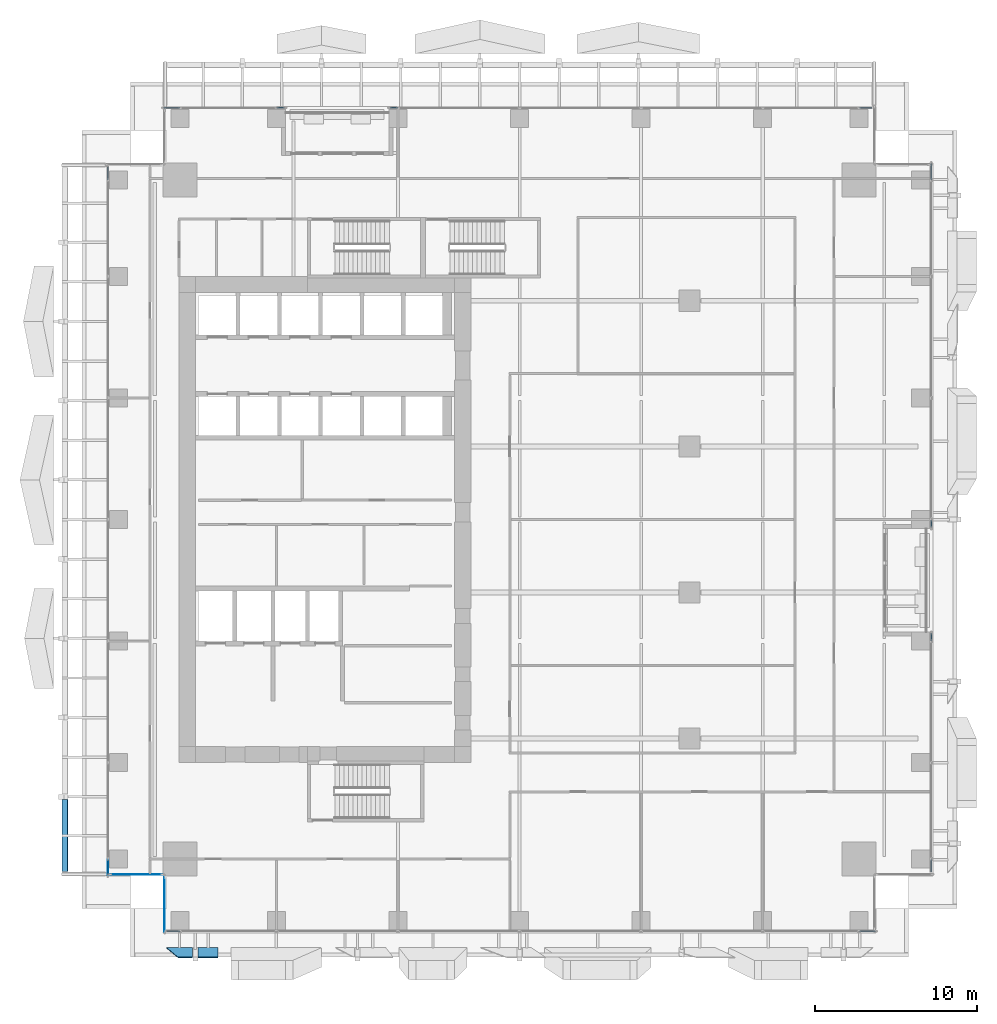
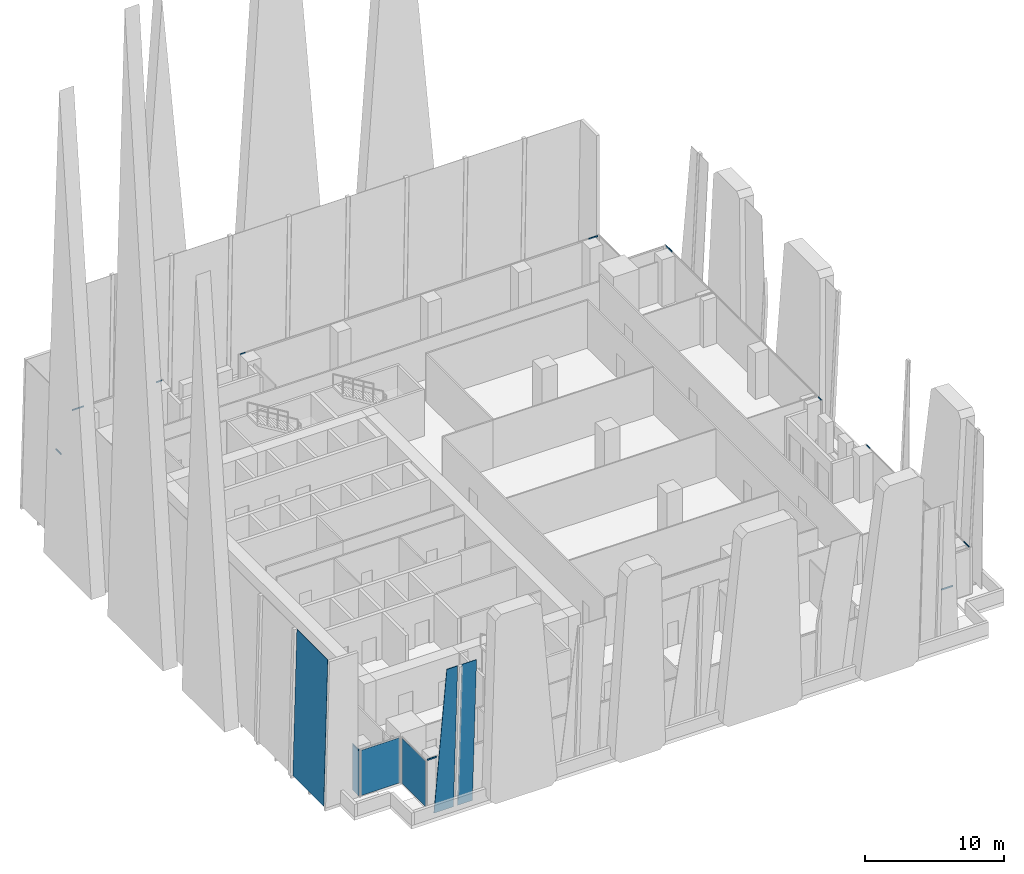
# One storey, part 20 of 37: 12 members, 6 plates, 8 elements without a shape of their own.
"""IFC4 building model written with IfcOpenShell, lengths in metres."""

from ifc_helpers import new_model, si_unit, direction, frame, origin, origin_2d, place, context, subcontext, project, spatial, polyline, rectangle, hollow_rectangle, outline, extrude, source, transform, mapped, material, layer, layer_set, material_profile, profile_set, type_object, element, aggregate, save


model = new_model("IFC4")

# Units and contexts
model_context = context("Model", 3, precision=1e-05, world=origin(), true_north=direction((0.0, 1.0)))
body_context = subcontext(model_context, "Body", "Model", "MODEL_VIEW")
ifc_project = project(units=[si_unit("LENGTHUNIT", "METRE"), si_unit("AREAUNIT", "SQUARE_METRE"), si_unit("VOLUMEUNIT", "CUBIC_METRE"), si_unit("PLANEANGLEUNIT", "RADIAN"), si_unit("MASSUNIT", "GRAM", prefix="KILO")], contexts=[model_context])

# Site, building, storey
site_placement = place(None, origin())
site = spatial("IfcSite", under=ifc_project, at=site_placement, CompositionType="ELEMENT")
building_placement = place(site_placement, origin())
building = spatial("IfcBuilding", under=site, at=building_placement, Name="Khomas Fold Tower", CompositionType="ELEMENT")
storey_placement = place(building_placement, frame((0.0, 0.0, 101.5)))
storey = spatial("IfcBuildingStorey", under=building, at=storey_placement, Name="L21", CompositionType="ELEMENT", Elevation=101.5)

# Curtain wall, member
ifc_material_1 = material(Name="Aluminium framed double glazing", Category="aluminium")
curtain_wall_type = type_object("IfcCurtainWallType", Name="SK-Unitised clear-glass wall, growing floors CW1", PredefinedType="NOTDEFINED", material=ifc_material_1)
curtain_wall_1_placement = place(storey_placement, origin())
curtain_wall_1 = element("IfcCurtainWall", 1, at=curtain_wall_1_placement, inside=storey, type_object=curtain_wall_type, Name="CW1 run L21 00-0", PredefinedType="NOTDEFINED")
ifc_material_2 = material(Name="Aluminium", Category="aluminium")
ifc_material_profile = material_profile(ifc_material_2, hollow_rectangle(XDim=0.06005859375, YDim=0.1201171875, WallThickness=0.00390625, at=origin_2d()), Name="SK-Unitised clear-glass wall, growing floors transom CW1-T")
ifc_profile_set = profile_set([ifc_material_profile], Name="Aluminium")
member_type = type_object("IfcMemberType", Name="SK-Unitised clear-glass wall, growing floors transom CW1-T", PredefinedType="USERDEFINED", material=ifc_profile_set)
shared_shape_1 = source(origin(), body_context, "Body", "SweptSolid", [
    extrude(hollow_rectangle(XDim=0.06005859375, YDim=0.1201171875, WallThickness=0.00390625, at=origin_2d()), origin(), (0.0, 0.0, 1.0), 0.760009765625),
])
member_1_placement = place(storey_placement, frame((5.260009765625, 1.60009765625, 4.0400390625), z_axis=(1.0, 0.0, 0.0), x_axis=(0.0, 1.0, 0.0)))
member_1 = element("IfcMember", 2, at=member_1_placement, type_object=member_type, Name="CW1 transom 1", ObjectType="TRANSOM", PredefinedType="USERDEFINED", context=body_context, shape_type="MappedRepresentation", body=[
    mapped(shared_shape_1, transform((0.0, 0.0, 0.0))),
])

curtain_wall_2_placement = place(storey_placement, origin())
curtain_wall_2 = element("IfcCurtainWall", 3, at=curtain_wall_2_placement, inside=storey, type_object=curtain_wall_type, Name="CW1 run L21 03-0", PredefinedType="NOTDEFINED")
member_2_placement = place(storey_placement, frame((52.39990234375, 5.260009765625, 4.0400390625), z_axis=(0.0, 1.0, 0.0), x_axis=(-1.0, 0.0, 0.0)))
member_2 = element("IfcMember", 4, at=member_2_placement, type_object=member_type, Name="CW1 transom 1", ObjectType="TRANSOM", PredefinedType="USERDEFINED", context=body_context, shape_type="MappedRepresentation", body=[
    mapped(shared_shape_1, transform((0.0, 0.0, 0.0))),
])

curtain_wall_3_placement = place(storey_placement, origin())
curtain_wall_3 = element("IfcCurtainWall", 5, at=curtain_wall_3_placement, inside=storey, type_object=curtain_wall_type, Name="CW1 run L21 06-0", PredefinedType="NOTDEFINED")
member_3_placement = place(storey_placement, frame((48.739990234375, 52.39990234375, 4.0400390625), z_axis=(-1.0, 0.0, 0.0), x_axis=(0.0, -1.0, 0.0)))
member_3 = element("IfcMember", 6, at=member_3_placement, type_object=member_type, Name="CW1 transom 1", ObjectType="TRANSOM", PredefinedType="USERDEFINED", context=body_context, shape_type="MappedRepresentation", body=[
    mapped(shared_shape_1, transform((0.0, 0.0, 0.0))),
])

curtain_wall_4_placement = place(storey_placement, origin())
curtain_wall_4 = element("IfcCurtainWall", 7, at=curtain_wall_4_placement, inside=storey, type_object=curtain_wall_type, Name="CW1 run L21 09-0", PredefinedType="NOTDEFINED")
member_4_placement = place(storey_placement, frame((1.60009765625, 48.739990234375, 4.0400390625), z_axis=(0.0, -1.0, 0.0), x_axis=(1.0, 0.0, 0.0)))
member_4 = element("IfcMember", 8, at=member_4_placement, type_object=member_type, Name="CW1 transom 1", ObjectType="TRANSOM", PredefinedType="USERDEFINED", context=body_context, shape_type="MappedRepresentation", body=[
    mapped(shared_shape_1, transform((0.0, 0.0, 0.0))),
])

# Member
shared_shape_2 = source(origin(), body_context, "Body", "SweptSolid", [
    extrude(hollow_rectangle(XDim=0.06005859375, YDim=0.1201171875, WallThickness=0.00390625, at=origin_2d()), origin(), (0.0, 0.0, 1.0), 0.9599609375),
])
member_5_placement = place(storey_placement, frame((47.97998046875, 1.60009765625, 4.0400390625), z_axis=(1.0, 0.0, 0.0), x_axis=(0.0, 1.0, 0.0)))
member_5 = element("IfcMember", 9, at=member_5_placement, type_object=member_type, Name="CW1 transom 8", ObjectType="TRANSOM", PredefinedType="USERDEFINED", context=body_context, shape_type="MappedRepresentation", body=[
    mapped(shared_shape_2, transform((0.0, 0.0, 0.0))),
])

aggregate(curtain_wall_1, [member_1, member_5])

# Curtain wall, member
curtain_wall_5_placement = place(storey_placement, origin())
curtain_wall_5 = element("IfcCurtainWall", 10, at=curtain_wall_5_placement, inside=storey, type_object=curtain_wall_type, Name="CW1 run L21 03-1", PredefinedType="NOTDEFINED")
member_6_placement = place(storey_placement, frame((52.39990234375, 47.97998046875, 4.0400390625), z_axis=(0.0, 1.0, 0.0), x_axis=(-1.0, 0.0, 0.0)))
member_6 = element("IfcMember", 11, at=member_6_placement, type_object=member_type, Name="CW1 transom 5", ObjectType="TRANSOM", PredefinedType="USERDEFINED", context=body_context, shape_type="MappedRepresentation", body=[
    mapped(shared_shape_2, transform((0.0, 0.0, 0.0))),
])

curtain_wall_6_placement = place(storey_placement, origin())
curtain_wall_6 = element("IfcCurtainWall", 12, at=curtain_wall_6_placement, inside=storey, type_object=curtain_wall_type, Name="CW1 run L21 06-1", PredefinedType="NOTDEFINED")
member_7_placement = place(storey_placement, frame((6.02001953125, 52.39990234375, 4.0400390625), z_axis=(-1.0, 0.0, 0.0), x_axis=(0.0, -1.0, 0.0)))
member_7 = element("IfcMember", 13, at=member_7_placement, type_object=member_type, Name="CW1 transom 3", ObjectType="TRANSOM", PredefinedType="USERDEFINED", context=body_context, shape_type="MappedRepresentation", body=[
    mapped(shared_shape_2, transform((0.0, 0.0, 0.0))),
])

# Member
member_8_placement = place(storey_placement, frame((1.60009765625, 6.02001953125, 4.0400390625), z_axis=(0.0, -1.0, 0.0), x_axis=(1.0, 0.0, 0.0)))
member_8 = element("IfcMember", 14, at=member_8_placement, type_object=member_type, Name="CW1 transom 8", ObjectType="TRANSOM", PredefinedType="USERDEFINED", context=body_context, shape_type="MappedRepresentation", body=[
    mapped(shared_shape_2, transform((0.0, 0.0, 0.0))),
])

shared_shape_3 = source(origin(), body_context, "Body", "SweptSolid", [
    extrude(hollow_rectangle(XDim=0.06005859375, YDim=0.1201171875, WallThickness=0.00390625, at=origin_2d()), origin(), (0.0, 0.0, 1.0), 0.4599609375),
])
member_9_placement = place(storey_placement, frame((52.39990234375, 19.530029296875, 4.0400390625), z_axis=(0.0, 1.0, 0.0), x_axis=(-1.0, 0.0, 0.0)))
member_9 = element("IfcMember", 15, at=member_9_placement, type_object=member_type, Name="CW1 transom 4", ObjectType="TRANSOM", PredefinedType="USERDEFINED", context=body_context, shape_type="MappedRepresentation", body=[
    mapped(shared_shape_3, transform((0.0, 0.0, 0.0))),
])

aggregate(curtain_wall_2, [member_2, member_9])

member_10_placement = place(storey_placement, frame((52.39990234375, 26.510009765625, 4.0400390625), z_axis=(0.0, 1.0, 0.0), x_axis=(-1.0, 0.0, 0.0)))
member_10 = element("IfcMember", 16, at=member_10_placement, type_object=member_type, Name="CW1 transom 1", ObjectType="TRANSOM", PredefinedType="USERDEFINED", context=body_context, shape_type="MappedRepresentation", body=[
    mapped(shared_shape_3, transform((0.0, 0.0, 0.0))),
])

aggregate(curtain_wall_5, [member_10, member_6])

member_11_placement = place(storey_placement, frame((19.469970703125, 52.39990234375, 4.0400390625), z_axis=(-1.0, 0.0, 0.0), x_axis=(0.0, -1.0, 0.0)))
member_11 = element("IfcMember", 17, at=member_11_placement, type_object=member_type, Name="CW1 transom 6", ObjectType="TRANSOM", PredefinedType="USERDEFINED", context=body_context, shape_type="MappedRepresentation", body=[
    mapped(shared_shape_3, transform((0.0, 0.0, 0.0))),
])

aggregate(curtain_wall_3, [member_3, member_11])

member_12_placement = place(storey_placement, frame((12.489990234375, 52.39990234375, 4.0400390625), z_axis=(-1.0, 0.0, 0.0), x_axis=(0.0, -1.0, 0.0)))
member_12 = element("IfcMember", 18, at=member_12_placement, type_object=member_type, Name="CW1 transom 1", ObjectType="TRANSOM", PredefinedType="USERDEFINED", context=body_context, shape_type="MappedRepresentation", body=[
    mapped(shared_shape_3, transform((0.0, 0.0, 0.0))),
])

aggregate(curtain_wall_6, [member_12, member_7])

# Plates
ifc_material_3 = material(Name="Clear laminated glass", Category="glass")
ifc_layer_1 = layer(ifc_material_3, 0.0400390625)
ifc_layer_set_1 = layer_set([ifc_layer_1], Name="Clear laminated glass")
plate_type_1 = type_object("IfcPlateType", Name="SK-Clear laminated glass leaf", PredefinedType="SHEET", material=ifc_layer_set_1)
plate_1_placement = place(storey_placement, frame((5.200439453125, 0.60009765625, 0.0), z_axis=(0.0, 0.998875266546, 0.047415207295), x_axis=(0.056791142868, -0.047338682976, 0.997263162453)))
element("IfcPlate", 19, at=plate_1_placement, inside=storey, type_object=plate_type_1, Name="OUTER SKIN glass L21 SG098-1", PredefinedType="SHEET", context=body_context, shape_type="SweptSolid", body=[
    extrude(outline(polyline([(0.0, 0.0), (12.784990441878577, 0.0), (12.836304899826393, 0.9021061729955084), (0.0925490426375765, 1.6270085665347254), (0.0, 0.0)])), origin(), (0.0, 0.0, -1.0), 0.0400390625),
])
plate_2_placement = place(storey_placement, frame((8.39990234375, 0.60009765625, 0.0), z_axis=(0.0, 0.998875266546, 0.047415207295), x_axis=(-1.0, 0.0, 0.0)))
element("IfcPlate", 20, at=plate_2_placement, inside=storey, type_object=plate_type_1, Name="OUTER SKIN glass L21 SG099-3", PredefinedType="SHEET", context=body_context, shape_type="SweptSolid", body=[
    extrude(outline(polyline([(0.0, 0.0), (1.22998046875, 0.0), (1.22998046875, 12.764356498773965), (0.0, 12.764356498773965), (0.0, 0.0)])), origin(), (0.0, 0.0, -1.0), 0.0400390625),
])
plate_3_placement = place(storey_placement, frame((-1.239990234375, 5.27001953125, 0.0009765625), z_axis=(-0.9996570913, 0.0, 0.026185870498), x_axis=(0.0, 1.0, 0.0)))
element("IfcPlate", 21, at=plate_3_placement, inside=storey, type_object=plate_type_1, Name="OUTER SKIN glass L21 W1", PredefinedType="SHEET", context=body_context, shape_type="SweptSolid", body=[
    extrude(outline(polyline([(0.0, 0.0), (4.448974609375, 0.0), (4.448974609375, -12.754373585666377), (0.0, -12.754373585666377), (0.0, 0.0)])), origin(), (0.0, 0.0, -1.0), 0.0400390625),
])

# Plate
ifc_material_4 = material(Name="Clear double glazed unit")
ifc_layer_2 = layer(ifc_material_4, 0.031982421875)
ifc_layer_set_2 = layer_set([ifc_layer_2], Name="Clear double glazed unit")
plate_type_2 = type_object("IfcPlateType", Name="SK-Unitised clear-glass wall, growing floors glass panel CW1-P", PredefinedType="CURTAIN_PANEL", material=ifc_layer_set_2)
shared_shape_4 = source(origin(), body_context, "Body", "SweptSolid", [
    extrude(rectangle(XDim=0.9599609375, YDim=0.031982421875, at=origin_2d()), origin(), (0.0, 0.0, 1.0), 3.97998046875),
])
plate_4_placement = place(storey_placement, frame((1.60009765625, 5.5400390625, 0.0), z_axis=(0.0, 0.0, 1.0), x_axis=(0.0, -1.0, 0.0)))
plate_4 = element("IfcPlate", 22, at=plate_4_placement, type_object=plate_type_2, Name="CW1 glass panel 8", PredefinedType="CURTAIN_PANEL", context=body_context, shape_type="MappedRepresentation", body=[
    mapped(shared_shape_4, transform((0.0, 0.0, 0.0))),
])

aggregate(curtain_wall_4, [member_4, member_8, plate_4])

# Curtain wall, plate
curtain_wall_7_placement = place(storey_placement, origin())
curtain_wall_7 = element("IfcCurtainWall", 23, at=curtain_wall_7_placement, inside=storey, type_object=curtain_wall_type, Name="CW1 corner return L21 10", PredefinedType="NOTDEFINED")
shared_shape_5 = source(origin(), body_context, "Body", "SweptSolid", [
    extrude(rectangle(XDim=3.179931640625, YDim=0.031982421875, at=origin_2d()), origin(), (0.0, 0.0, 1.0), 3.97998046875),
])
plate_5_placement = place(storey_placement, frame((3.35009765625, 5.10009765625, 0.0), z_axis=(0.0, 0.0, 1.0), x_axis=(1.0, 0.0, 0.0)))
plate_5 = element("IfcPlate", 24, at=plate_5_placement, type_object=plate_type_2, Name="CW1 glass panel 1", PredefinedType="CURTAIN_PANEL", context=body_context, shape_type="MappedRepresentation", body=[
    mapped(shared_shape_5, transform((0.0, 0.0, 0.0))),
])
aggregate(curtain_wall_7, [plate_5])

curtain_wall_8_placement = place(storey_placement, origin())
curtain_wall_8 = element("IfcCurtainWall", 25, at=curtain_wall_8_placement, inside=storey, type_object=curtain_wall_type, Name="CW1 corner return L21 11", PredefinedType="NOTDEFINED")
shared_shape_6 = source(origin(), body_context, "Body", "SweptSolid", [
    extrude(rectangle(XDim=3.3798828125, YDim=0.031982421875, at=origin_2d()), origin(), (0.0, 0.0, 1.0), 3.97998046875),
])
plate_6_placement = place(storey_placement, frame((5.10009765625, 3.25, 0.0), z_axis=(0.0, 0.0, 1.0), x_axis=(0.0, -1.0, 0.0)))
plate_6 = element("IfcPlate", 26, at=plate_6_placement, type_object=plate_type_2, Name="CW1 glass panel 1", PredefinedType="CURTAIN_PANEL", context=body_context, shape_type="MappedRepresentation", body=[
    mapped(shared_shape_6, transform((0.0, 0.0, 0.0))),
])
aggregate(curtain_wall_8, [plate_6])

save(model, "model.ifc")
